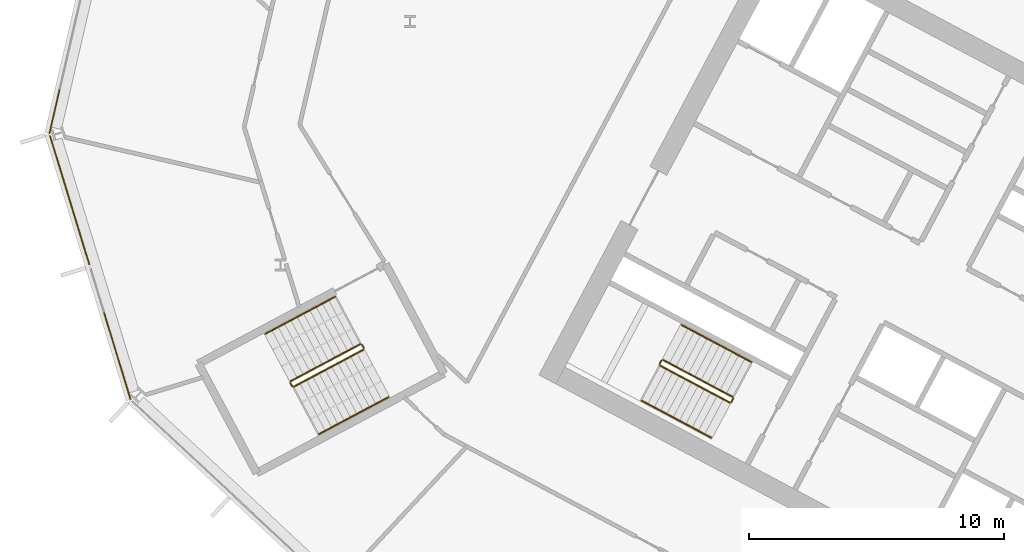
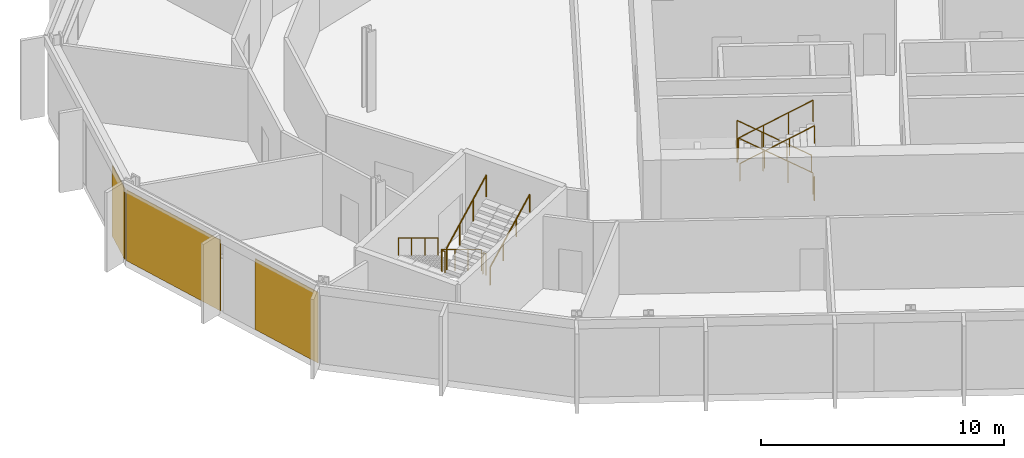
# One storey, part 21 of 28: 12 railings, 3 coverings, 2 elements without a shape of their own.
"""IFC4 building model written with IfcOpenShell, lengths in metres."""

from ifc_helpers import new_model, si_unit, direction, frame, origin, origin_2d, place, context, subcontext, project, spatial, polyline, rectangle, outline, extrude, material, layer, layer_set, type_object, element, aggregate, save


model = new_model("IFC4")

# Units and contexts
model_context = context("Model", 3, precision=1e-05, world=origin(), true_north=direction((0.0, 1.0)))
body_context = subcontext(model_context, "Body", "Model", "MODEL_VIEW")
ifc_project = project(units=[si_unit("LENGTHUNIT", "METRE"), si_unit("AREAUNIT", "SQUARE_METRE"), si_unit("VOLUMEUNIT", "CUBIC_METRE"), si_unit("PLANEANGLEUNIT", "RADIAN"), si_unit("MASSUNIT", "GRAM", prefix="KILO")], contexts=[model_context])

# Site, building, storey
site_placement = place(None, origin())
site = spatial("IfcSite", under=ifc_project, at=site_placement, CompositionType="ELEMENT")
building_placement = place(site_placement, origin())
building = spatial("IfcBuilding", under=site, at=building_placement, Name="Cormorant Relay Tower", CompositionType="ELEMENT")
storey_placement = place(building_placement, frame((0.0, 0.0, 126.199951171875)))
storey = spatial("IfcBuildingStorey", under=building, at=storey_placement, Name="L25", CompositionType="ELEMENT", Elevation=126.199951171875)

# Curtain wall, covering
ifc_material_1 = material(Name="Aluminium 6063-T6 anodised bronze", Category="aluminium")
ifc_layer_1 = layer(ifc_material_1, 0.199951171875)
ifc_layer_set_1 = layer_set([ifc_layer_1], Name="CW1 unitised bronze curtain wall with vertical fins")
curtain_wall_type = type_object("IfcCurtainWallType", Name="CW1 unitised bronze curtain wall with vertical fins", PredefinedType="NOTDEFINED", material=ifc_layer_set_1)
curtain_wall_1_placement = place(storey_placement, origin())
curtain_wall_1 = element("IfcCurtainWall", 1, at=curtain_wall_1_placement, inside=storey, type_object=curtain_wall_type, Name="CW1 curtain wall 13", PredefinedType="NOTDEFINED")
ifc_material_2 = material(Name="Pale bronze anodised aluminium insulated panel", Category="aluminium")
ifc_layer_2 = layer(ifc_material_2, 0.0400390625)
ifc_layer_set_2 = layer_set([ifc_layer_2], Name="CW1 pale bronze insulated panel 40")
covering_type = type_object("IfcCoveringType", Name="CW1 pale bronze insulated panel 40", PredefinedType="CLADDING", material=ifc_layer_set_2)
covering_1_placement = place(storey_placement, frame((-60.54150390625, 21.25537109375, 0.0), z_axis=(0.0, 0.0, 1.0), x_axis=(-0.224951054344, -0.974370064785, 0.0)))
covering_1 = element("IfcCovering", 2, at=covering_1_placement, type_object=covering_type, Name="CW1 panel S02", PredefinedType="CLADDING", context=body_context, shape_type="SweptSolid", body=[
    extrude(rectangle(XDim=1.76025390625, YDim=0.0400390625, at=origin_2d()), origin(), (0.0, 0.0, 1.0), 3.550048828125),
])
aggregate(curtain_wall_1, [covering_1])

# Curtain wall, coverings
curtain_wall_2_placement = place(storey_placement, origin())
curtain_wall_2 = element("IfcCurtainWall", 3, at=curtain_wall_2_placement, inside=storey, type_object=curtain_wall_type, Name="CW1 curtain wall 14", PredefinedType="NOTDEFINED")
covering_2_placement = place(storey_placement, frame((-59.9443359375, 17.78857421875, 0.0), z_axis=(0.0, 0.0, 1.0), x_axis=(0.292371704723, -0.956304755963, 0.0)))
covering_2 = element("IfcCovering", 4, at=covering_2_placement, type_object=covering_type, Name="CW1 panel S00", PredefinedType="CLADDING", context=body_context, shape_type="SweptSolid", body=[
    extrude(rectangle(XDim=5.28515625, YDim=0.0400390625, at=origin_2d()), origin(), (0.0, 0.0, 1.0), 3.550048828125),
])
covering_3_placement = place(storey_placement, frame((-58.081298828125, 11.6943359375, 0.0), z_axis=(0.0, 0.0, 1.0), x_axis=(0.292371704723, -0.956304755963, 0.0)))
covering_3 = element("IfcCovering", 5, at=covering_3_placement, type_object=covering_type, Name="CW1 panel S02", PredefinedType="CLADDING", context=body_context, shape_type="SweptSolid", body=[
    extrude(rectangle(XDim=3.560302734375, YDim=0.0400390625, at=origin_2d()), origin(), (0.0, 0.0, 1.0), 3.550048828125),
])
aggregate(curtain_wall_2, [covering_2, covering_3])

# Railings
ifc_material_3 = material(Name="Steel ASTM A572 Grade 50 (Fy 345 MPa)", Category="steel")
railing_type_1 = type_object("IfcRailingType", Name="Stair guard 1100", PredefinedType="GUARDRAIL", material=ifc_material_3)
railing_1_placement = place(storey_placement, frame((-33.9921875, 10.08935546875, 0.166748046875)))
element("IfcRailing", 6, at=railing_1_placement, inside=storey, type_object=railing_type_1, Name="L25 A2 stair guard 1", PredefinedType="GUARDRAIL", context=body_context, shape_type="SweptSolid", body=[
    extrude(outline(polyline([(0.022216796875, 0.00927734375), (0.00927734375, 0.022216796875), (-0.00927734375, 0.022216796875), (-0.022216796875, 0.00927734375), (-0.022216796875, -0.00927734375), (-0.00927734375, -0.022216796875), (0.00927734375, -0.022216796875), (0.022216796875, -0.00927734375), (0.022216796875, 0.00927734375)])), frame((0.0, 0.0, 1.076171875), z_axis=(-0.758713656843, 0.403434867536, 0.511462505542), x_axis=(-0.469489399267, -0.882938108802, 0.0)), (0.0, 0.0, 1.0), 3.584228515625),
    extrude(outline(polyline([(0.019287109375, 0.008056640625), (0.008056640625, 0.019287109375), (-0.008056640625, 0.019287109375), (-0.019287109375, 0.008056640625), (-0.019287109375, -0.008056640625), (-0.008056640625, -0.019287109375), (0.008056640625, -0.019287109375), (0.019287109375, -0.008056640625), (0.019287109375, 0.008056640625)])), origin(), (0.0, 0.0, 1.0), 1.052001953125),
    extrude(outline(polyline([(0.019287109375, 0.008056640625), (0.008056640625, 0.019287109375), (-0.008056640625, 0.019287109375), (-0.019287109375, 0.008056640625), (-0.019287109375, -0.008056640625), (-0.008056640625, -0.019287109375), (0.008056640625, -0.019287109375), (0.019287109375, -0.008056640625), (0.019287109375, 0.008056640625)])), frame((-0.906494140625, 0.48193359375, 0.611083984375)), (0.0, 0.0, 1.0), 1.052001953125),
    extrude(outline(polyline([(0.019287109375, 0.008056640625), (0.008056640625, 0.019287109375), (-0.008056640625, 0.019287109375), (-0.019287109375, 0.008056640625), (-0.019287109375, -0.008056640625), (-0.008056640625, -0.019287109375), (0.008056640625, -0.019287109375), (0.019287109375, -0.008056640625), (0.019287109375, 0.008056640625)])), frame((-1.81298828125, 0.964111328125, 1.22216796875)), (0.0, 0.0, 1.0), 1.052001953125),
    extrude(outline(polyline([(0.019287109375, 0.008056640625), (0.008056640625, 0.019287109375), (-0.008056640625, 0.019287109375), (-0.019287109375, 0.008056640625), (-0.019287109375, -0.008056640625), (-0.008056640625, -0.019287109375), (0.008056640625, -0.019287109375), (0.019287109375, -0.008056640625), (0.019287109375, 0.008056640625)])), frame((-2.719482421875, 1.446044921875, 1.833251953125)), (0.0, 0.0, 1.0), 1.052001953125),
])
railing_2_placement = place(storey_placement, frame((-36.779296875, 11.5146484375, 2.0)))
element("IfcRailing", 7, at=railing_2_placement, inside=storey, type_object=railing_type_1, Name="L25 A2 stair guard 2", PredefinedType="GUARDRAIL", context=body_context, shape_type="SweptSolid", body=[
    extrude(outline(polyline([(0.022216796875, 0.00927734375), (0.00927734375, 0.022216796875), (-0.00927734375, 0.022216796875), (-0.022216796875, 0.00927734375), (-0.022216796875, -0.00927734375), (-0.00927734375, -0.022216796875), (0.00927734375, -0.022216796875), (0.022216796875, -0.00927734375), (0.022216796875, 0.00927734375)])), frame((0.0, 0.0, 1.076171875), z_axis=(-0.469234640946, -0.883073525669, 0.0), x_axis=(0.883073525669, -0.469234640946, 0.0)), (0.0, 0.0, 1.0), 0.14990234375),
    extrude(outline(polyline([(0.019287109375, 0.008056640625), (0.008056640625, 0.019287109375), (-0.008056640625, 0.019287109375), (-0.019287109375, 0.008056640625), (-0.019287109375, -0.008056640625), (-0.008056640625, -0.019287109375), (0.008056640625, -0.019287109375), (0.019287109375, -0.008056640625), (0.019287109375, 0.008056640625)])), origin(), (0.0, 0.0, 1.0), 1.052001953125),
    extrude(outline(polyline([(0.019287109375, 0.008056640625), (0.008056640625, 0.019287109375), (-0.008056640625, 0.019287109375), (-0.019287109375, 0.008056640625), (-0.019287109375, -0.008056640625), (-0.008056640625, -0.019287109375), (0.008056640625, -0.019287109375), (0.019287109375, -0.008056640625), (0.019287109375, 0.008056640625)])), frame((-0.0703125, -0.13232421875, 0.0)), (0.0, 0.0, 1.0), 1.052001953125),
])
railing_3_placement = place(storey_placement, frame((-36.8291015625, 11.314697265625, 2.166748046875)))
element("IfcRailing", 8, at=railing_3_placement, inside=storey, type_object=railing_type_1, Name="L25 A2 stair guard 3", PredefinedType="GUARDRAIL", context=body_context, shape_type="SweptSolid", body=[
    extrude(outline(polyline([(0.022216796875, 0.00927734375), (0.00927734375, 0.022216796875), (-0.00927734375, 0.022216796875), (-0.022216796875, 0.00927734375), (-0.022216796875, -0.00927734375), (-0.00927734375, -0.022216796875), (0.00927734375, -0.022216796875), (0.022216796875, -0.00927734375), (0.022216796875, 0.00927734375)])), frame((0.0, 0.0, 1.076171875), z_axis=(0.758713656843, -0.403434867536, 0.511462505542), x_axis=(0.469489399267, 0.882938108802, 0.0)), (0.0, 0.0, 1.0), 3.584228515625),
    extrude(outline(polyline([(0.019287109375, 0.008056640625), (0.008056640625, 0.019287109375), (-0.008056640625, 0.019287109375), (-0.019287109375, 0.008056640625), (-0.019287109375, -0.008056640625), (-0.008056640625, -0.019287109375), (0.008056640625, -0.019287109375), (0.019287109375, -0.008056640625), (0.019287109375, 0.008056640625)])), origin(), (0.0, 0.0, 1.0), 1.052001953125),
    extrude(outline(polyline([(0.019287109375, 0.008056640625), (0.008056640625, 0.019287109375), (-0.008056640625, 0.019287109375), (-0.019287109375, 0.008056640625), (-0.019287109375, -0.008056640625), (-0.008056640625, -0.019287109375), (0.008056640625, -0.019287109375), (0.019287109375, -0.008056640625), (0.019287109375, 0.008056640625)])), frame((0.906494140625, -0.48193359375, 0.611083984375)), (0.0, 0.0, 1.0), 1.052001953125),
    extrude(outline(polyline([(0.019287109375, 0.008056640625), (0.008056640625, 0.019287109375), (-0.008056640625, 0.019287109375), (-0.019287109375, 0.008056640625), (-0.019287109375, -0.008056640625), (-0.008056640625, -0.019287109375), (0.008056640625, -0.019287109375), (0.019287109375, -0.008056640625), (0.019287109375, 0.008056640625)])), frame((1.81298828125, -0.964111328125, 1.22216796875)), (0.0, 0.0, 1.0), 1.052001953125),
    extrude(outline(polyline([(0.019287109375, 0.008056640625), (0.008056640625, 0.019287109375), (-0.008056640625, 0.019287109375), (-0.019287109375, 0.008056640625), (-0.019287109375, -0.008056640625), (-0.008056640625, -0.019287109375), (0.008056640625, -0.019287109375), (0.019287109375, -0.008056640625), (0.019287109375, 0.008056640625)])), frame((2.719482421875, -1.446044921875, 1.833251953125)), (0.0, 0.0, 1.0), 1.052001953125),
])
railing_4_placement = place(storey_placement, frame((-33.971435546875, 10.021728515625, 0.0)))
element("IfcRailing", 9, at=railing_4_placement, inside=storey, type_object=railing_type_1, Name="L25 A2 stair guard 4", PredefinedType="GUARDRAIL", context=body_context, shape_type="SweptSolid", body=[
    extrude(outline(polyline([(0.022216796875, 0.00927734375), (0.00927734375, 0.022216796875), (-0.00927734375, 0.022216796875), (-0.022216796875, 0.00927734375), (-0.022216796875, -0.00927734375), (-0.00927734375, -0.022216796875), (0.00927734375, -0.022216796875), (0.022216796875, -0.00927734375), (0.022216796875, 0.00927734375)])), frame((0.0, 0.0, 1.076171875), z_axis=(-0.470503732759, -0.882398003998, 0.0), x_axis=(0.882398003998, -0.470503732759, 0.0)), (0.0, 0.0, 1.0), 0.14990234375),
    extrude(outline(polyline([(0.019287109375, 0.008056640625), (0.008056640625, 0.019287109375), (-0.008056640625, 0.019287109375), (-0.019287109375, 0.008056640625), (-0.019287109375, -0.008056640625), (-0.008056640625, -0.019287109375), (0.008056640625, -0.019287109375), (0.019287109375, -0.008056640625), (0.019287109375, 0.008056640625)])), origin(), (0.0, 0.0, 1.0), 1.052001953125),
    extrude(outline(polyline([(0.019287109375, 0.008056640625), (0.008056640625, 0.019287109375), (-0.008056640625, 0.019287109375), (-0.019287109375, 0.008056640625), (-0.019287109375, -0.008056640625), (-0.008056640625, -0.019287109375), (0.008056640625, -0.019287109375), (0.019287109375, -0.008056640625), (0.019287109375, 0.008056640625)])), frame((-0.070556640625, -0.13232421875, 0.0)), (0.0, 0.0, 1.0), 1.052001953125),
])
railing_5_placement = place(storey_placement, frame((-48.5693359375, 12.155517578125, 0.166748046875)))
element("IfcRailing", 10, at=railing_5_placement, inside=storey, type_object=railing_type_1, Name="L25 RP1 stair guard 1", PredefinedType="GUARDRAIL", context=body_context, shape_type="SweptSolid", body=[
    extrude(outline(polyline([(0.022216796875, 0.00927734375), (0.00927734375, 0.022216796875), (-0.00927734375, 0.022216796875), (-0.022216796875, 0.00927734375), (-0.022216796875, -0.00927734375), (-0.00927734375, -0.022216796875), (0.00927734375, -0.022216796875), (0.022216796875, -0.00927734375), (0.022216796875, 0.00927734375)])), frame((0.0, 0.0, 1.076171875), z_axis=(-0.758713656843, -0.403434867536, 0.511462505542), x_axis=(0.469489399267, -0.882938108802, 0.0)), (0.0, 0.0, 1.0), 3.584228515625),
    extrude(outline(polyline([(0.019287109375, 0.008056640625), (0.008056640625, 0.019287109375), (-0.008056640625, 0.019287109375), (-0.019287109375, 0.008056640625), (-0.019287109375, -0.008056640625), (-0.008056640625, -0.019287109375), (0.008056640625, -0.019287109375), (0.019287109375, -0.008056640625), (0.019287109375, 0.008056640625)])), origin(), (0.0, 0.0, 1.0), 1.052001953125),
    extrude(outline(polyline([(0.019287109375, 0.008056640625), (0.008056640625, 0.019287109375), (-0.008056640625, 0.019287109375), (-0.019287109375, 0.008056640625), (-0.019287109375, -0.008056640625), (-0.008056640625, -0.019287109375), (0.008056640625, -0.019287109375), (0.019287109375, -0.008056640625), (0.019287109375, 0.008056640625)])), frame((-0.906494140625, -0.48193359375, 0.611083984375)), (0.0, 0.0, 1.0), 1.052001953125),
    extrude(outline(polyline([(0.019287109375, 0.008056640625), (0.008056640625, 0.019287109375), (-0.008056640625, 0.019287109375), (-0.019287109375, 0.008056640625), (-0.019287109375, -0.008056640625), (-0.008056640625, -0.019287109375), (0.008056640625, -0.019287109375), (0.019287109375, -0.008056640625), (0.019287109375, 0.008056640625)])), frame((-1.81298828125, -0.964111328125, 1.22216796875)), (0.0, 0.0, 1.0), 1.052001953125),
    extrude(outline(polyline([(0.019287109375, 0.008056640625), (0.008056640625, 0.019287109375), (-0.008056640625, 0.019287109375), (-0.019287109375, 0.008056640625), (-0.019287109375, -0.008056640625), (-0.008056640625, -0.019287109375), (0.008056640625, -0.019287109375), (0.019287109375, -0.008056640625), (0.019287109375, 0.008056640625)])), frame((-2.719482421875, -1.446044921875, 1.833251953125)), (0.0, 0.0, 1.0), 1.052001953125),
])
railing_6_placement = place(storey_placement, frame((-51.3095703125, 10.641845703125, 2.0)))
element("IfcRailing", 11, at=railing_6_placement, inside=storey, type_object=railing_type_1, Name="L25 RP1 stair guard 2", PredefinedType="GUARDRAIL", context=body_context, shape_type="SweptSolid", body=[
    extrude(outline(polyline([(0.022216796875, 0.00927734375), (0.00927734375, 0.022216796875), (-0.00927734375, 0.022216796875), (-0.022216796875, 0.00927734375), (-0.022216796875, -0.00927734375), (-0.00927734375, -0.022216796875), (0.00927734375, -0.022216796875), (0.022216796875, -0.00927734375), (0.022216796875, 0.00927734375)])), frame((0.0, 0.0, 1.076171875), z_axis=(0.469828648786, -0.882757634224, 0.0), x_axis=(0.882757634224, 0.469828648786, 0.0)), (0.0, 0.0, 1.0), 0.150146484375),
    extrude(outline(polyline([(0.019287109375, 0.008056640625), (0.008056640625, 0.019287109375), (-0.008056640625, 0.019287109375), (-0.019287109375, 0.008056640625), (-0.019287109375, -0.008056640625), (-0.008056640625, -0.019287109375), (0.008056640625, -0.019287109375), (0.019287109375, -0.008056640625), (0.019287109375, 0.008056640625)])), origin(), (0.0, 0.0, 1.0), 1.052001953125),
    extrude(outline(polyline([(0.019287109375, 0.008056640625), (0.008056640625, 0.019287109375), (-0.008056640625, 0.019287109375), (-0.019287109375, 0.008056640625), (-0.019287109375, -0.008056640625), (-0.008056640625, -0.019287109375), (0.008056640625, -0.019287109375), (0.019287109375, -0.008056640625), (0.019287109375, 0.008056640625)])), frame((0.070556640625, -0.132568359375, 0.0)), (0.0, 0.0, 1.0), 1.052001953125),
])
railing_7_placement = place(storey_placement, frame((-51.17138671875, 10.48876953125, 2.166748046875)))
element("IfcRailing", 12, at=railing_7_placement, inside=storey, type_object=railing_type_1, Name="L25 RP1 stair guard 3", PredefinedType="GUARDRAIL", context=body_context, shape_type="SweptSolid", body=[
    extrude(outline(polyline([(0.022216796875, 0.00927734375), (0.00927734375, 0.022216796875), (-0.00927734375, 0.022216796875), (-0.022216796875, 0.00927734375), (-0.022216796875, -0.00927734375), (-0.00927734375, -0.022216796875), (0.00927734375, -0.022216796875), (0.022216796875, -0.00927734375), (0.022216796875, 0.00927734375)])), frame((0.0, 0.0, 1.076171875), z_axis=(0.758734504837, 0.403377838015, 0.511476559549), x_axis=(-0.469427602063, 0.882970965786, 0.0)), (0.0, 0.0, 1.0), 3.584228515625),
    extrude(outline(polyline([(0.019287109375, 0.008056640625), (0.008056640625, 0.019287109375), (-0.008056640625, 0.019287109375), (-0.019287109375, 0.008056640625), (-0.019287109375, -0.008056640625), (-0.008056640625, -0.019287109375), (0.008056640625, -0.019287109375), (0.019287109375, -0.008056640625), (0.019287109375, 0.008056640625)])), origin(), (0.0, 0.0, 1.0), 1.052001953125),
    extrude(outline(polyline([(0.019287109375, 0.008056640625), (0.008056640625, 0.019287109375), (-0.008056640625, 0.019287109375), (-0.019287109375, 0.008056640625), (-0.019287109375, -0.008056640625), (-0.008056640625, -0.019287109375), (0.008056640625, -0.019287109375), (0.019287109375, -0.008056640625), (0.019287109375, 0.008056640625)])), frame((0.906494140625, 0.48193359375, 0.611083984375)), (0.0, 0.0, 1.0), 1.052001953125),
    extrude(outline(polyline([(0.019287109375, 0.008056640625), (0.008056640625, 0.019287109375), (-0.008056640625, 0.019287109375), (-0.019287109375, 0.008056640625), (-0.019287109375, -0.008056640625), (-0.008056640625, -0.019287109375), (0.008056640625, -0.019287109375), (0.019287109375, -0.008056640625), (0.019287109375, 0.008056640625)])), frame((1.81298828125, 0.9638671875, 1.22216796875)), (0.0, 0.0, 1.0), 1.052001953125),
    extrude(outline(polyline([(0.019287109375, 0.008056640625), (0.008056640625, 0.019287109375), (-0.008056640625, 0.019287109375), (-0.019287109375, 0.008056640625), (-0.019287109375, -0.008056640625), (-0.008056640625, -0.019287109375), (0.008056640625, -0.019287109375), (0.019287109375, -0.008056640625), (0.019287109375, 0.008056640625)])), frame((2.719482421875, 1.44580078125, 1.833251953125)), (0.0, 0.0, 1.0), 1.052001953125),
])
railing_8_placement = place(storey_placement, frame((-48.501708984375, 12.134765625, 0.0)))
element("IfcRailing", 13, at=railing_8_placement, inside=storey, type_object=railing_type_1, Name="L25 RP1 stair guard 4", PredefinedType="GUARDRAIL", context=body_context, shape_type="SweptSolid", body=[
    extrude(outline(polyline([(0.022216796875, 0.00927734375), (0.00927734375, 0.022216796875), (-0.00927734375, 0.022216796875), (-0.022216796875, 0.00927734375), (-0.022216796875, -0.00927734375), (-0.00927734375, -0.022216796875), (0.00927734375, -0.022216796875), (0.022216796875, -0.00927734375), (0.022216796875, 0.00927734375)])), frame((0.0, 0.0, 1.076171875), z_axis=(0.46856034887, -0.8834314911, 0.0), x_axis=(0.8834314911, 0.46856034887, 0.0)), (0.0, 0.0, 1.0), 0.150146484375),
    extrude(outline(polyline([(0.019287109375, 0.008056640625), (0.008056640625, 0.019287109375), (-0.008056640625, 0.019287109375), (-0.019287109375, 0.008056640625), (-0.019287109375, -0.008056640625), (-0.008056640625, -0.019287109375), (0.008056640625, -0.019287109375), (0.019287109375, -0.008056640625), (0.019287109375, 0.008056640625)])), origin(), (0.0, 0.0, 1.0), 1.052001953125),
    extrude(outline(polyline([(0.019287109375, 0.008056640625), (0.008056640625, 0.019287109375), (-0.008056640625, 0.019287109375), (-0.019287109375, 0.008056640625), (-0.019287109375, -0.008056640625), (-0.008056640625, -0.019287109375), (0.008056640625, -0.019287109375), (0.019287109375, -0.008056640625), (0.019287109375, 0.008056640625)])), frame((0.0703125, -0.132568359375, 0.0)), (0.0, 0.0, 1.0), 1.052001953125),
])
ifc_material_4 = material(Name="Steel ASTM A572 Grade 50 (Fy 345 MPa)", Category="steel")
railing_type_2 = type_object("IfcRailingType", Name="Stair handrail 900", PredefinedType="HANDRAIL", material=ifc_material_4)
railing_9_placement = place(storey_placement, frame((-33.264404296875, 11.4580078125, 0.166748046875)))
element("IfcRailing", 14, at=railing_9_placement, inside=storey, type_object=railing_type_2, Name="L25 A2 stair handrail 1", PredefinedType="HANDRAIL", context=body_context, shape_type="SweptSolid", body=[
    extrude(outline(polyline([(0.022216796875, 0.00927734375), (0.00927734375, 0.022216796875), (-0.00927734375, 0.022216796875), (-0.022216796875, 0.00927734375), (-0.022216796875, -0.00927734375), (-0.00927734375, -0.022216796875), (0.00927734375, -0.022216796875), (0.022216796875, -0.00927734375), (0.022216796875, 0.00927734375)])), frame((0.0, 0.0, 0.8759765625), z_axis=(-0.758734504837, 0.403377838015, 0.511476559549), x_axis=(-0.469427602063, -0.882970965786, 0.0)), (0.0, 0.0, 1.0), 3.584228515625),
    extrude(outline(polyline([(0.019287109375, 0.008056640625), (0.008056640625, 0.019287109375), (-0.008056640625, 0.019287109375), (-0.019287109375, 0.008056640625), (-0.019287109375, -0.008056640625), (-0.008056640625, -0.019287109375), (0.008056640625, -0.019287109375), (0.019287109375, -0.008056640625), (0.019287109375, 0.008056640625)])), origin(), (0.0, 0.0, 1.0), 0.851806640625),
    extrude(outline(polyline([(0.019287109375, 0.008056640625), (0.008056640625, 0.019287109375), (-0.008056640625, 0.019287109375), (-0.019287109375, 0.008056640625), (-0.019287109375, -0.008056640625), (-0.008056640625, -0.019287109375), (0.008056640625, -0.019287109375), (0.019287109375, -0.008056640625), (0.019287109375, 0.008056640625)])), frame((-0.906494140625, 0.48193359375, 0.611083984375)), (0.0, 0.0, 1.0), 0.851806640625),
    extrude(outline(polyline([(0.019287109375, 0.008056640625), (0.008056640625, 0.019287109375), (-0.008056640625, 0.019287109375), (-0.019287109375, 0.008056640625), (-0.019287109375, -0.008056640625), (-0.008056640625, -0.019287109375), (0.008056640625, -0.019287109375), (0.019287109375, -0.008056640625), (0.019287109375, 0.008056640625)])), frame((-1.81298828125, 0.9638671875, 1.22216796875)), (0.0, 0.0, 1.0), 0.851806640625),
    extrude(outline(polyline([(0.019287109375, 0.008056640625), (0.008056640625, 0.019287109375), (-0.008056640625, 0.019287109375), (-0.019287109375, 0.008056640625), (-0.019287109375, -0.008056640625), (-0.008056640625, -0.019287109375), (0.008056640625, -0.019287109375), (0.019287109375, -0.008056640625), (0.019287109375, 0.008056640625)])), frame((-2.719482421875, 1.44580078125, 1.833251953125)), (0.0, 0.0, 1.0), 0.851806640625),
])
railing_10_placement = place(storey_placement, frame((-37.556640625, 9.946044921875, 2.166748046875)))
element("IfcRailing", 15, at=railing_10_placement, inside=storey, type_object=railing_type_2, Name="L25 A2 stair handrail 2", PredefinedType="HANDRAIL", context=body_context, shape_type="SweptSolid", body=[
    extrude(outline(polyline([(0.022216796875, 0.00927734375), (0.00927734375, 0.022216796875), (-0.00927734375, 0.022216796875), (-0.022216796875, 0.00927734375), (-0.022216796875, -0.00927734375), (-0.00927734375, -0.022216796875), (0.00927734375, -0.022216796875), (0.022216796875, -0.00927734375), (0.022216796875, 0.00927734375)])), frame((0.0, 0.0, 0.8759765625), z_axis=(0.758713656843, -0.403434867536, 0.511462505542), x_axis=(0.469489399267, 0.882938108802, 0.0)), (0.0, 0.0, 1.0), 3.584228515625),
    extrude(outline(polyline([(0.019287109375, 0.008056640625), (0.008056640625, 0.019287109375), (-0.008056640625, 0.019287109375), (-0.019287109375, 0.008056640625), (-0.019287109375, -0.008056640625), (-0.008056640625, -0.019287109375), (0.008056640625, -0.019287109375), (0.019287109375, -0.008056640625), (0.019287109375, 0.008056640625)])), origin(), (0.0, 0.0, 1.0), 0.851806640625),
    extrude(outline(polyline([(0.019287109375, 0.008056640625), (0.008056640625, 0.019287109375), (-0.008056640625, 0.019287109375), (-0.019287109375, 0.008056640625), (-0.019287109375, -0.008056640625), (-0.008056640625, -0.019287109375), (0.008056640625, -0.019287109375), (0.019287109375, -0.008056640625), (0.019287109375, 0.008056640625)])), frame((0.906494140625, -0.48193359375, 0.611083984375)), (0.0, 0.0, 1.0), 0.851806640625),
    extrude(outline(polyline([(0.019287109375, 0.008056640625), (0.008056640625, 0.019287109375), (-0.008056640625, 0.019287109375), (-0.019287109375, 0.008056640625), (-0.019287109375, -0.008056640625), (-0.008056640625, -0.019287109375), (0.008056640625, -0.019287109375), (0.019287109375, -0.008056640625), (0.019287109375, 0.008056640625)])), frame((1.81298828125, -0.964111328125, 1.22216796875)), (0.0, 0.0, 1.0), 0.851806640625),
    extrude(outline(polyline([(0.019287109375, 0.008056640625), (0.008056640625, 0.019287109375), (-0.008056640625, 0.019287109375), (-0.019287109375, 0.008056640625), (-0.019287109375, -0.008056640625), (-0.008056640625, -0.019287109375), (0.008056640625, -0.019287109375), (0.019287109375, -0.008056640625), (0.019287109375, 0.008056640625)])), frame((2.719482421875, -1.446044921875, 1.833251953125)), (0.0, 0.0, 1.0), 0.851806640625),
])
railing_11_placement = place(storey_placement, frame((-49.55517578125, 14.009521484375, 0.166748046875)))
element("IfcRailing", 16, at=railing_11_placement, inside=storey, type_object=railing_type_2, Name="L25 RP1 stair handrail 1", PredefinedType="HANDRAIL", context=body_context, shape_type="SweptSolid", body=[
    extrude(outline(polyline([(0.022216796875, 0.00927734375), (0.00927734375, 0.022216796875), (-0.00927734375, 0.022216796875), (-0.022216796875, 0.00927734375), (-0.022216796875, -0.00927734375), (-0.00927734375, -0.022216796875), (0.00927734375, -0.022216796875), (0.022216796875, -0.00927734375), (0.022216796875, 0.00927734375)])), frame((0.0, 0.0, 0.8759765625), z_axis=(-0.758734504837, -0.403377838015, 0.511476559549), x_axis=(0.469427602063, -0.882970965786, 0.0)), (0.0, 0.0, 1.0), 3.584228515625),
    extrude(outline(polyline([(0.019287109375, 0.008056640625), (0.008056640625, 0.019287109375), (-0.008056640625, 0.019287109375), (-0.019287109375, 0.008056640625), (-0.019287109375, -0.008056640625), (-0.008056640625, -0.019287109375), (0.008056640625, -0.019287109375), (0.019287109375, -0.008056640625), (0.019287109375, 0.008056640625)])), origin(), (0.0, 0.0, 1.0), 0.851806640625),
    extrude(outline(polyline([(0.019287109375, 0.008056640625), (0.008056640625, 0.019287109375), (-0.008056640625, 0.019287109375), (-0.019287109375, 0.008056640625), (-0.019287109375, -0.008056640625), (-0.008056640625, -0.019287109375), (0.008056640625, -0.019287109375), (0.019287109375, -0.008056640625), (0.019287109375, 0.008056640625)])), frame((-0.906494140625, -0.48193359375, 0.611083984375)), (0.0, 0.0, 1.0), 0.851806640625),
    extrude(outline(polyline([(0.019287109375, 0.008056640625), (0.008056640625, 0.019287109375), (-0.008056640625, 0.019287109375), (-0.019287109375, 0.008056640625), (-0.019287109375, -0.008056640625), (-0.008056640625, -0.019287109375), (0.008056640625, -0.019287109375), (0.019287109375, -0.008056640625), (0.019287109375, 0.008056640625)])), frame((-1.81298828125, -0.9638671875, 1.22216796875)), (0.0, 0.0, 1.0), 0.851806640625),
    extrude(outline(polyline([(0.019287109375, 0.008056640625), (0.008056640625, 0.019287109375), (-0.008056640625, 0.019287109375), (-0.019287109375, 0.008056640625), (-0.019287109375, -0.008056640625), (-0.008056640625, -0.019287109375), (0.008056640625, -0.019287109375), (0.019287109375, -0.008056640625), (0.019287109375, 0.008056640625)])), frame((-2.719482421875, -1.44580078125, 1.833251953125)), (0.0, 0.0, 1.0), 0.851806640625),
])
railing_12_placement = place(storey_placement, frame((-50.185546875, 8.634521484375, 2.166748046875)))
element("IfcRailing", 17, at=railing_12_placement, inside=storey, type_object=railing_type_2, Name="L25 RP1 stair handrail 2", PredefinedType="HANDRAIL", context=body_context, shape_type="SweptSolid", body=[
    extrude(outline(polyline([(0.022216796875, 0.00927734375), (0.00927734375, 0.022216796875), (-0.00927734375, 0.022216796875), (-0.022216796875, 0.00927734375), (-0.022216796875, -0.00927734375), (-0.00927734375, -0.022216796875), (0.00927734375, -0.022216796875), (0.022216796875, -0.00927734375), (0.022216796875, 0.00927734375)])), frame((0.0, 0.0, 0.8759765625), z_axis=(0.758713656843, 0.403434867536, 0.511462505542), x_axis=(-0.469489399267, 0.882938108802, 0.0)), (0.0, 0.0, 1.0), 3.584228515625),
    extrude(outline(polyline([(0.019287109375, 0.008056640625), (0.008056640625, 0.019287109375), (-0.008056640625, 0.019287109375), (-0.019287109375, 0.008056640625), (-0.019287109375, -0.008056640625), (-0.008056640625, -0.019287109375), (0.008056640625, -0.019287109375), (0.019287109375, -0.008056640625), (0.019287109375, 0.008056640625)])), origin(), (0.0, 0.0, 1.0), 0.851806640625),
    extrude(outline(polyline([(0.019287109375, 0.008056640625), (0.008056640625, 0.019287109375), (-0.008056640625, 0.019287109375), (-0.019287109375, 0.008056640625), (-0.019287109375, -0.008056640625), (-0.008056640625, -0.019287109375), (0.008056640625, -0.019287109375), (0.019287109375, -0.008056640625), (0.019287109375, 0.008056640625)])), frame((0.906494140625, 0.48193359375, 0.611083984375)), (0.0, 0.0, 1.0), 0.851806640625),
    extrude(outline(polyline([(0.019287109375, 0.008056640625), (0.008056640625, 0.019287109375), (-0.008056640625, 0.019287109375), (-0.019287109375, 0.008056640625), (-0.019287109375, -0.008056640625), (-0.008056640625, -0.019287109375), (0.008056640625, -0.019287109375), (0.019287109375, -0.008056640625), (0.019287109375, 0.008056640625)])), frame((1.81298828125, 0.964111328125, 1.22216796875)), (0.0, 0.0, 1.0), 0.851806640625),
    extrude(outline(polyline([(0.019287109375, 0.008056640625), (0.008056640625, 0.019287109375), (-0.008056640625, 0.019287109375), (-0.019287109375, 0.008056640625), (-0.019287109375, -0.008056640625), (-0.008056640625, -0.019287109375), (0.008056640625, -0.019287109375), (0.019287109375, -0.008056640625), (0.019287109375, 0.008056640625)])), frame((2.719482421875, 1.446044921875, 1.833251953125)), (0.0, 0.0, 1.0), 0.851806640625),
])

save(model, "model.ifc")
